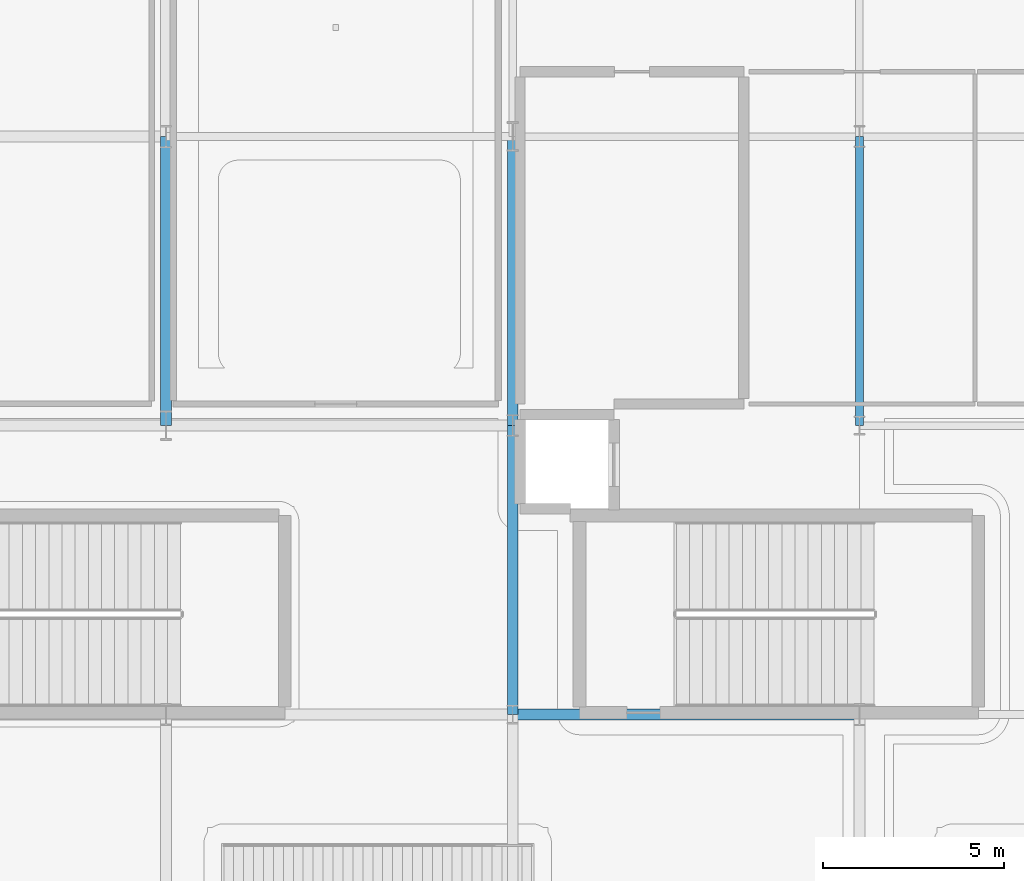
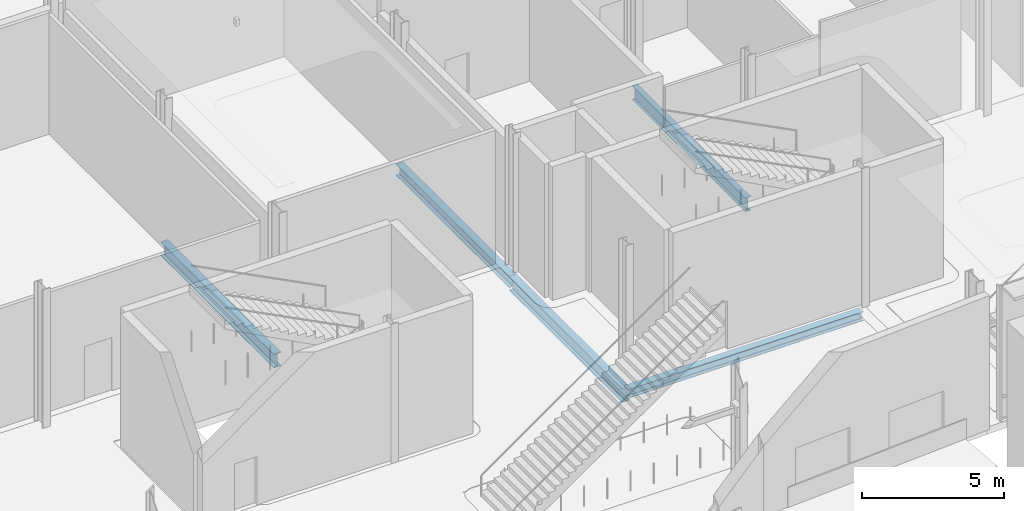
# One storey, part 36 of 124: 5 beams.
"""IFC4 building model written with IfcOpenShell, lengths in metres."""

from ifc_helpers import new_model, si_unit, direction, frame, origin, origin_2d, place, context, subcontext, project, spatial, i_section, extrude, material, material_profile, profile_set, type_object, element, save


model = new_model("IFC4")

# Units and contexts
model_context = context("Model", 3, precision=1e-05, world=origin(), true_north=direction((0.0, 1.0)))
body_context = subcontext(model_context, "Body", "Model", "MODEL_VIEW")
ifc_project = project(units=[si_unit("LENGTHUNIT", "METRE"), si_unit("AREAUNIT", "SQUARE_METRE"), si_unit("VOLUMEUNIT", "CUBIC_METRE"), si_unit("PLANEANGLEUNIT", "RADIAN"), si_unit("MASSUNIT", "GRAM", prefix="KILO")], contexts=[model_context])

# Site, building, storey
site_placement = place(None, origin())
site = spatial("IfcSite", under=ifc_project, at=site_placement, CompositionType="ELEMENT")
building_placement = place(site_placement, origin())
building = spatial("IfcBuilding", under=site, at=building_placement, Name="Danafjord Basin Convention Centre", CompositionType="ELEMENT")
storey_placement = place(building_placement, origin())
storey = spatial("IfcBuildingStorey", under=building, at=storey_placement, Name="L00", CompositionType="ELEMENT", Elevation=0.0)

# Beams
ifc_material = material(Name="Steel S355", Category="steel")
ifc_material_profile_1 = material_profile(ifc_material, i_section(OverallWidth=0.300048828125, OverallDepth=0.389892578125, WebThickness=0.010986328125, FlangeThickness=0.01904296875, FilletRadius=0.027099609375, at=origin_2d()), Name="HEA 400")
ifc_profile_set_1 = profile_set([ifc_material_profile_1], Name="Steel S355")
beam_type_1 = type_object("IfcBeamType", Name="BEAM-BM-HEA400", PredefinedType="BEAM", material=ifc_profile_set_1)
beam_1_placement = place(storey_placement, frame((48.0, 16.0, -0.5048828125), z_axis=(1.0, 0.0, 0.0), x_axis=(0.0, 1.0, 0.0)))
element("IfcBeam", 1, at=beam_1_placement, inside=storey, type_object=beam_type_1, Name="L00 girder BM-HEA400", PredefinedType="BEAM", context=body_context, shape_type="SweptSolid", body=[
    extrude(i_section(OverallWidth=0.300048828125, OverallDepth=0.389892578125, WebThickness=0.010986328125, FlangeThickness=0.01904296875, FilletRadius=0.027099609375, at=origin_2d()), origin(), (0.0, 0.0, 1.0), 9.60009765625),
])
ifc_material_profile_2 = material_profile(ifc_material, i_section(OverallWidth=0.300048828125, OverallDepth=0.5, WebThickness=0.014404296875, FlangeThickness=0.028076171875, FilletRadius=0.027099609375, at=origin_2d()), Name="HEB 500")
ifc_profile_set_2 = profile_set([ifc_material_profile_2], Name="Steel S355")
beam_type_2 = type_object("IfcBeamType", Name="BEAM-BM-HEB500", PredefinedType="BEAM", material=ifc_profile_set_2)
beam_2_placement = place(storey_placement, frame((48.0, 24.0, -0.56005859375), z_axis=(0.0, 1.0, 0.0), x_axis=(-1.0, 0.0, 0.0)))
element("IfcBeam", 2, at=beam_2_placement, inside=storey, type_object=beam_type_2, Name="L00 transverse girder BM-HEB500", PredefinedType="BEAM", context=body_context, shape_type="SweptSolid", body=[
    extrude(i_section(OverallWidth=0.300048828125, OverallDepth=0.5, WebThickness=0.014404296875, FlangeThickness=0.028076171875, FilletRadius=0.027099609375, at=origin_2d()), origin(), (0.0, 0.0, 1.0), 8.0),
])
ifc_material_profile_3 = material_profile(ifc_material, i_section(OverallWidth=0.300048828125, OverallDepth=0.60009765625, WebThickness=0.015380859375, FlangeThickness=0.030029296875, FilletRadius=0.027099609375, at=origin_2d()), Name="HEB 600")
ifc_profile_set_3 = profile_set([ifc_material_profile_3], Name="Steel S355")
beam_type_3 = type_object("IfcBeamType", Name="BEAM-BM-HEB600", PredefinedType="BEAM", material=ifc_profile_set_3)
for number, where, z_axis, x_axis, name in (
    (3, (38.39990234375, 24.0, -0.610107421875), (0.0, 1.0, 0.0), (-1.0, 0.0, 0.0), "L00 transverse girder BM-HEB600"),
    (4, (48.0, 16.0, -0.610107421875), (0.0, 1.0, 0.0), (-1.0, 0.0, 0.0), "L00 transverse girder BM-HEB600"),
):
    element("IfcBeam", number, at=place(storey_placement, frame(where, z_axis=z_axis, x_axis=x_axis)), inside=storey, type_object=beam_type_3, Name=name, PredefinedType="BEAM", context=body_context, shape_type="SweptSolid", body=[
        extrude(i_section(OverallWidth=0.300048828125, OverallDepth=0.60009765625, WebThickness=0.015380859375, FlangeThickness=0.030029296875, FilletRadius=0.027099609375, at=origin_2d()), origin(), (0.0, 0.0, 1.0), 8.0),
    ])
ifc_material_profile_4 = material_profile(ifc_material, i_section(OverallWidth=0.219970703125, OverallDepth=0.60009765625, WebThickness=0.011962890625, FlangeThickness=0.01904296875, FilletRadius=0.02392578125, at=origin_2d()), Name="IPE 600")
ifc_profile_set_4 = profile_set([ifc_material_profile_4], Name="Steel S355")
beam_type_4 = type_object("IfcBeamType", Name="BEAM-BM-IPE600", PredefinedType="BEAM", material=ifc_profile_set_4)
beam_3_placement = place(storey_placement, frame((57.60009765625, 24.0, -0.610107421875), z_axis=(0.0, 1.0, 0.0), x_axis=(-1.0, 0.0, 0.0)))
element("IfcBeam", 5, at=beam_3_placement, inside=storey, type_object=beam_type_4, Name="L00 transverse girder BM-IPE600", PredefinedType="BEAM", context=body_context, shape_type="SweptSolid", body=[
    extrude(i_section(OverallWidth=0.219970703125, OverallDepth=0.60009765625, WebThickness=0.011962890625, FlangeThickness=0.01904296875, FilletRadius=0.02392578125, at=origin_2d()), origin(), (0.0, 0.0, 1.0), 8.0),
])

save(model, "model.ifc")
